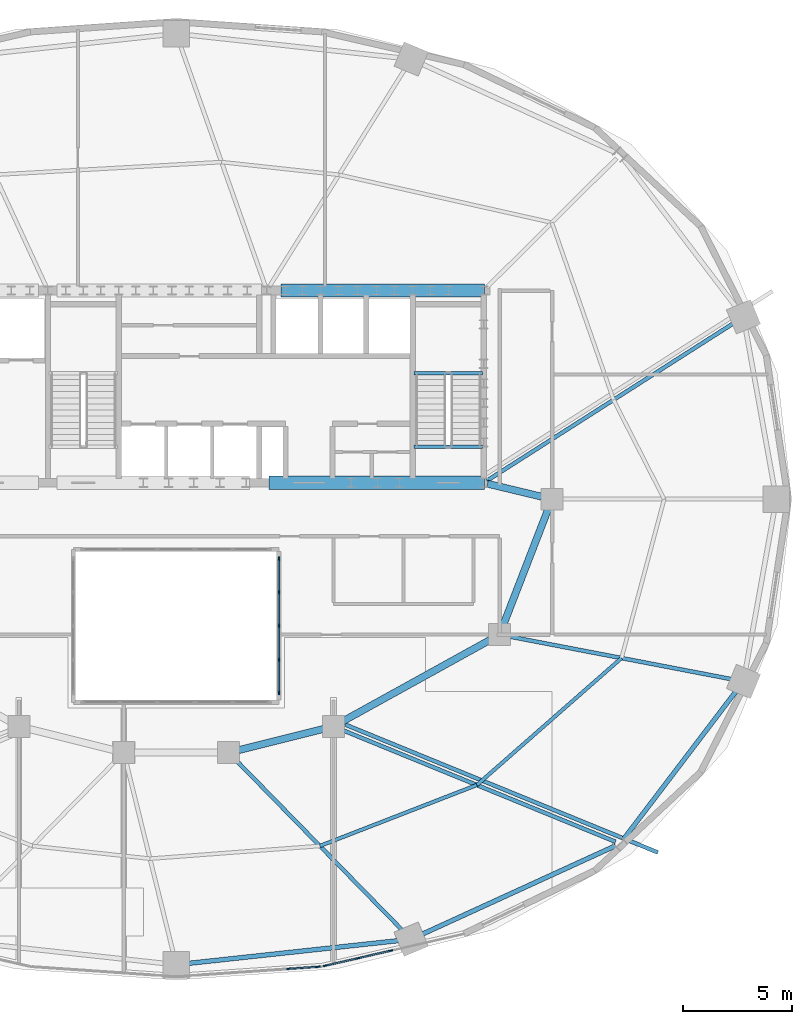
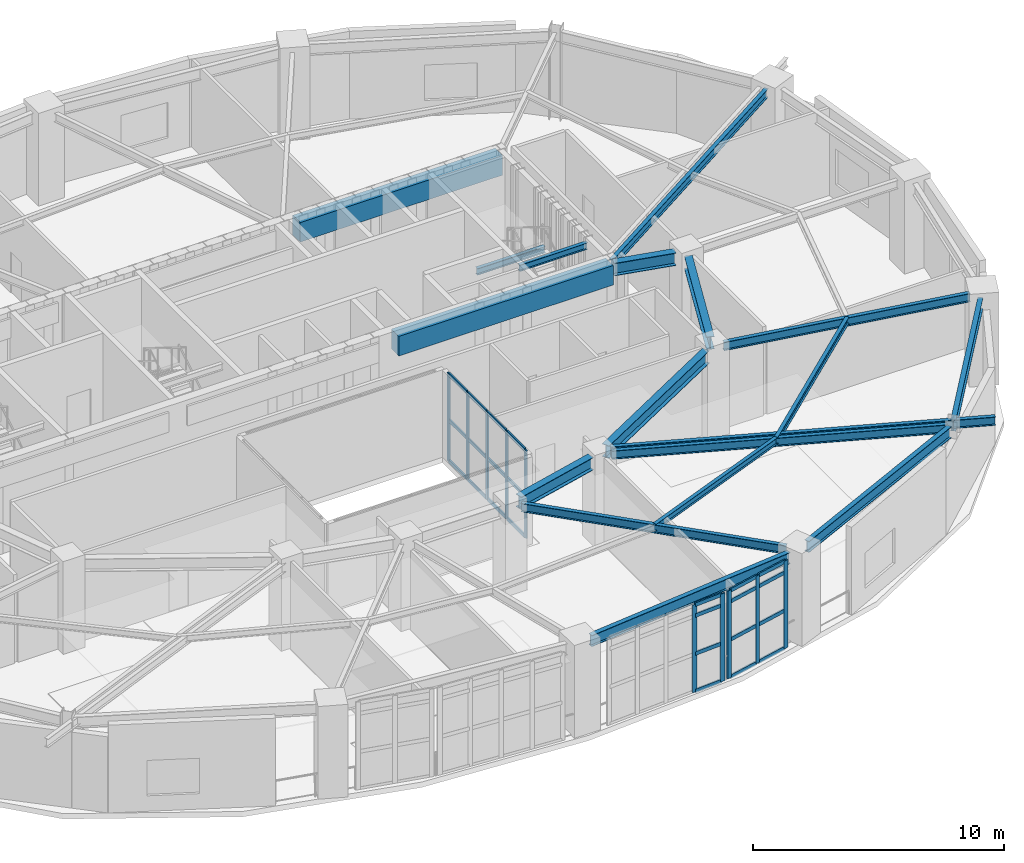
# One storey, part 6 of 13: 34 members, 18 beams, 3 elements without a shape of their own.
"""IFC4 building model written with IfcOpenShell, lengths in metres."""

from ifc_helpers import new_model, si_unit, direction, frame, origin, origin_2d, place, context, subcontext, project, spatial, rectangle, i_section, extrude, material, material_profile, profile_set, type_object, element, aggregate, save


model = new_model("IFC4")

# Units and contexts
model_context = context("Model", 3, precision=1e-05, world=origin(), true_north=direction((0.0, 1.0)))
body_context = subcontext(model_context, "Body", "Model", "MODEL_VIEW")
ifc_project = project(units=[si_unit("LENGTHUNIT", "METRE"), si_unit("AREAUNIT", "SQUARE_METRE"), si_unit("VOLUMEUNIT", "CUBIC_METRE"), si_unit("PLANEANGLEUNIT", "RADIAN"), si_unit("MASSUNIT", "GRAM", prefix="KILO")], contexts=[model_context])

# Site, building, storey
site_placement = place(None, origin())
site = spatial("IfcSite", under=ifc_project, at=site_placement, CompositionType="ELEMENT")
building_placement = place(site_placement, origin())
building = spatial("IfcBuilding", under=site, at=building_placement, Name="Haldorwick Loom Tower", CompositionType="ELEMENT")
storey_placement = place(building_placement, frame((0.0, 0.0, 188.949951171875)))
storey = spatial("IfcBuildingStorey", under=building, at=storey_placement, Name="L51", CompositionType="ELEMENT", Elevation=188.949951171875)

# Curtain wall, members
ifc_material_1 = material(Name="Thermally Broken Anodized Aluminium Curtain Wall Framing", Category="aluminium")
curtain_wall_type_1 = type_object("IfcCurtainWallType", Name="ARC-CW-03", PredefinedType="NOTDEFINED", material=ifc_material_1)
curtain_wall_1_placement = place(storey_placement, origin())
curtain_wall_1 = element("IfcCurtainWall", 1, at=curtain_wall_1_placement, inside=storey, type_object=curtain_wall_type_1, Name="L51 Atrium Glazed Screen E", PredefinedType="NOTDEFINED")
ifc_material_profile_1 = material_profile(ifc_material_1, rectangle(XDim=0.06591796875, YDim=0.18505859375, at=origin_2d()), Name="ALU_MUL_66X185", Category="aluminium")
ifc_profile_set_1 = profile_set([ifc_material_profile_1], Name="Thermally Broken Anodized Aluminium Curtain Wall Framing")
member_type_1 = type_object("IfcMemberType", Name="ARC-CWM-03", PredefinedType="MULLION", material=ifc_profile_set_1)
member_1_placement = place(storey_placement, frame((40.699951171875, 23.26708984375, 0.0), z_axis=(0.0, 0.0, 1.0), x_axis=(1.0, 0.0, 0.0)))
member_1 = element("IfcMember", 2, at=member_1_placement, type_object=member_type_1, Name="CW-03 mullion 1", PredefinedType="MULLION", context=body_context, shape_type="SweptSolid", body=[
    extrude(rectangle(XDim=0.06591796875, YDim=0.18505859375, at=origin_2d()), origin(), (0.0, 0.0, 1.0), 4.260009765625),
])
member_2_placement = place(storey_placement, frame((40.699951171875, 21.75, 0.0), z_axis=(0.0, 0.0, 1.0), x_axis=(1.0, 0.0, 0.0)))
member_2 = element("IfcMember", 3, at=member_2_placement, type_object=member_type_1, Name="CW-03 mullion 2", PredefinedType="MULLION", context=body_context, shape_type="SweptSolid", body=[
    extrude(rectangle(XDim=0.06591796875, YDim=0.18505859375, at=origin_2d()), origin(), (0.0, 0.0, 1.0), 4.260009765625),
])
member_3_placement = place(storey_placement, frame((40.699951171875, 20.199951171875, 0.0), z_axis=(0.0, 0.0, 1.0), x_axis=(1.0, 0.0, 0.0)))
member_3 = element("IfcMember", 4, at=member_3_placement, type_object=member_type_1, Name="CW-03 mullion 3", PredefinedType="MULLION", context=body_context, shape_type="SweptSolid", body=[
    extrude(rectangle(XDim=0.06591796875, YDim=0.18505859375, at=origin_2d()), origin(), (0.0, 0.0, 1.0), 4.260009765625),
])
member_4_placement = place(storey_placement, frame((40.699951171875, 18.64990234375, 0.0), z_axis=(0.0, 0.0, 1.0), x_axis=(1.0, 0.0, 0.0)))
member_4 = element("IfcMember", 5, at=member_4_placement, type_object=member_type_1, Name="CW-03 mullion 4", PredefinedType="MULLION", context=body_context, shape_type="SweptSolid", body=[
    extrude(rectangle(XDim=0.06591796875, YDim=0.18505859375, at=origin_2d()), origin(), (0.0, 0.0, 1.0), 4.260009765625),
])
member_5_placement = place(storey_placement, frame((40.699951171875, 17.133056640625, 0.0), z_axis=(0.0, 0.0, 1.0), x_axis=(1.0, 0.0, 0.0)))
member_5 = element("IfcMember", 6, at=member_5_placement, type_object=member_type_1, Name="CW-03 mullion 5", PredefinedType="MULLION", context=body_context, shape_type="SweptSolid", body=[
    extrude(rectangle(XDim=0.06591796875, YDim=0.18505859375, at=origin_2d()), origin(), (0.0, 0.0, 1.0), 4.260009765625),
])

curtain_wall_type_2 = type_object("IfcCurtainWallType", Name="ARC-CW-05", PredefinedType="NOTDEFINED", material=ifc_material_1)
curtain_wall_2_placement = place(storey_placement, origin())
curtain_wall_2 = element("IfcCurtainWall", 7, at=curtain_wall_2_placement, inside=storey, type_object=curtain_wall_type_2, Name="L51 Facade Curtain Wall CW-05 Bay 19", PredefinedType="NOTDEFINED")
ifc_material_profile_2 = material_profile(ifc_material_1, rectangle(XDim=0.068115234375, YDim=0.201904296875, at=origin_2d()), Name="ALU_MUL_68X202", Category="aluminium")
ifc_profile_set_2 = profile_set([ifc_material_profile_2], Name="Thermally Broken Anodized Aluminium Curtain Wall Framing")
member_type_2 = type_object("IfcMemberType", Name="ARC-CWM-05", PredefinedType="MULLION", material=ifc_profile_set_2)
member_6_placement = place(storey_placement, frame((41.15283203125, 4.509033203125, 0.0), z_axis=(0.0, 0.0, 1.0), x_axis=(-0.068513392431, 0.997650196741, 0.0)))
member_6 = element("IfcMember", 8, at=member_6_placement, type_object=member_type_2, Name="CW-05 mullion 4", PredefinedType="MULLION", context=body_context, shape_type="SweptSolid", body=[
    extrude(rectangle(XDim=0.068115234375, YDim=0.201904296875, at=origin_2d()), origin(), (0.0, 0.0, 1.0), 4.260009765625),
])
member_7_placement = place(storey_placement, frame((42.49169921875, 4.600830078125, 0.0), z_axis=(0.0, 0.0, 1.0), x_axis=(-0.068513392431, 0.997650196741, 0.0)))
member_7 = element("IfcMember", 9, at=member_7_placement, type_object=member_type_2, Name="CW-05 mullion 5", PredefinedType="MULLION", context=body_context, shape_type="SweptSolid", body=[
    extrude(rectangle(XDim=0.068115234375, YDim=0.201904296875, at=origin_2d()), origin(), (0.0, 0.0, 1.0), 4.260009765625),
])

curtain_wall_3_placement = place(storey_placement, origin())
curtain_wall_3 = element("IfcCurtainWall", 10, at=curtain_wall_3_placement, inside=storey, type_object=curtain_wall_type_2, Name="L51 Facade Curtain Wall CW-05 Bay 20", PredefinedType="NOTDEFINED")
member_8_placement = place(storey_placement, frame((42.8349609375, 4.65185546875, 0.0), z_axis=(0.0, 0.0, 1.0), x_axis=(-0.224141611493, 0.974556585323, 0.0)))
member_8 = element("IfcMember", 11, at=member_8_placement, type_object=member_type_2, Name="CW-05 mullion 1", PredefinedType="MULLION", context=body_context, shape_type="SweptSolid", body=[
    extrude(rectangle(XDim=0.068115234375, YDim=0.201904296875, at=origin_2d()), origin(), (0.0, 0.0, 1.0), 4.260009765625),
])
member_9_placement = place(storey_placement, frame((44.32373046875, 4.994140625, 0.0), z_axis=(0.0, 0.0, 1.0), x_axis=(-0.224141611493, 0.974556585323, 0.0)))
member_9 = element("IfcMember", 12, at=member_9_placement, type_object=member_type_2, Name="CW-05 mullion 2", PredefinedType="MULLION", context=body_context, shape_type="SweptSolid", body=[
    extrude(rectangle(XDim=0.068115234375, YDim=0.201904296875, at=origin_2d()), origin(), (0.0, 0.0, 1.0), 4.260009765625),
])
member_10_placement = place(storey_placement, frame((45.812744140625, 5.336669921875, 0.0), z_axis=(0.0, 0.0, 1.0), x_axis=(-0.224141611493, 0.974556585323, 0.0)))
member_10 = element("IfcMember", 13, at=member_10_placement, type_object=member_type_2, Name="CW-05 mullion 3", PredefinedType="MULLION", context=body_context, shape_type="SweptSolid", body=[
    extrude(rectangle(XDim=0.068115234375, YDim=0.201904296875, at=origin_2d()), origin(), (0.0, 0.0, 1.0), 4.260009765625),
])

# Member
ifc_material_profile_3 = material_profile(ifc_material_1, rectangle(XDim=0.06591796875, YDim=0.1650390625, at=origin_2d()), Name="ALU_TRN_66X165", Category="aluminium")
ifc_profile_set_3 = profile_set([ifc_material_profile_3], Name="Thermally Broken Anodized Aluminium Curtain Wall Framing")
member_type_3 = type_object("IfcMemberType", Name="ARC-CWT-03", PredefinedType="USERDEFINED", material=ifc_profile_set_3)
member_11_placement = place(storey_placement, frame((40.699951171875, 23.23388671875, 0.032958984375), z_axis=(0.0, -1.0, 0.0), x_axis=(1.0, 0.0, 0.0)))
member_11 = element("IfcMember", 14, at=member_11_placement, type_object=member_type_3, Name="CW-03 transom 1.1", ObjectType="TRANSOM", PredefinedType="USERDEFINED", context=body_context, shape_type="SweptSolid", body=[
    extrude(rectangle(XDim=0.06591796875, YDim=0.1650390625, at=origin_2d()), origin(), (0.0, 0.0, 1.0), 1.450927734375),
])

member_12_placement = place(storey_placement, frame((40.699951171875, 23.23388671875, 2.0), z_axis=(0.0, -1.0, 0.0), x_axis=(1.0, 0.0, 0.0)))
member_12 = element("IfcMember", 15, at=member_12_placement, type_object=member_type_3, Name="CW-03 transom 1.2", ObjectType="TRANSOM", PredefinedType="USERDEFINED", context=body_context, shape_type="SweptSolid", body=[
    extrude(rectangle(XDim=0.06591796875, YDim=0.1650390625, at=origin_2d()), origin(), (0.0, 0.0, 1.0), 1.450927734375),
])

member_13_placement = place(storey_placement, frame((40.699951171875, 23.23388671875, 4.22705078125), z_axis=(0.0, -1.0, 0.0), x_axis=(1.0, 0.0, 0.0)))
member_13 = element("IfcMember", 16, at=member_13_placement, type_object=member_type_3, Name="CW-03 transom 1.3", ObjectType="TRANSOM", PredefinedType="USERDEFINED", context=body_context, shape_type="SweptSolid", body=[
    extrude(rectangle(XDim=0.06591796875, YDim=0.1650390625, at=origin_2d()), origin(), (0.0, 0.0, 1.0), 1.450927734375),
])

member_14_placement = place(storey_placement, frame((40.699951171875, 21.717041015625, 0.032958984375), z_axis=(0.0, -1.0, 0.0), x_axis=(1.0, 0.0, 0.0)))
member_14 = element("IfcMember", 17, at=member_14_placement, type_object=member_type_3, Name="CW-03 transom 2.1", ObjectType="TRANSOM", PredefinedType="USERDEFINED", context=body_context, shape_type="SweptSolid", body=[
    extrude(rectangle(XDim=0.06591796875, YDim=0.1650390625, at=origin_2d()), origin(), (0.0, 0.0, 1.0), 1.484130859375),
])

member_15_placement = place(storey_placement, frame((40.699951171875, 21.717041015625, 2.0), z_axis=(0.0, -1.0, 0.0), x_axis=(1.0, 0.0, 0.0)))
member_15 = element("IfcMember", 18, at=member_15_placement, type_object=member_type_3, Name="CW-03 transom 2.2", ObjectType="TRANSOM", PredefinedType="USERDEFINED", context=body_context, shape_type="SweptSolid", body=[
    extrude(rectangle(XDim=0.06591796875, YDim=0.1650390625, at=origin_2d()), origin(), (0.0, 0.0, 1.0), 1.484130859375),
])

member_16_placement = place(storey_placement, frame((40.699951171875, 21.717041015625, 4.22705078125), z_axis=(0.0, -1.0, 0.0), x_axis=(1.0, 0.0, 0.0)))
member_16 = element("IfcMember", 19, at=member_16_placement, type_object=member_type_3, Name="CW-03 transom 2.3", ObjectType="TRANSOM", PredefinedType="USERDEFINED", context=body_context, shape_type="SweptSolid", body=[
    extrude(rectangle(XDim=0.06591796875, YDim=0.1650390625, at=origin_2d()), origin(), (0.0, 0.0, 1.0), 1.484130859375),
])

member_17_placement = place(storey_placement, frame((40.699951171875, 20.1669921875, 0.032958984375), z_axis=(0.0, -1.0, 0.0), x_axis=(1.0, 0.0, 0.0)))
member_17 = element("IfcMember", 20, at=member_17_placement, type_object=member_type_3, Name="CW-03 transom 3.1", ObjectType="TRANSOM", PredefinedType="USERDEFINED", context=body_context, shape_type="SweptSolid", body=[
    extrude(rectangle(XDim=0.06591796875, YDim=0.1650390625, at=origin_2d()), origin(), (0.0, 0.0, 1.0), 1.48388671875),
])

member_18_placement = place(storey_placement, frame((40.699951171875, 20.1669921875, 2.0), z_axis=(0.0, -1.0, 0.0), x_axis=(1.0, 0.0, 0.0)))
member_18 = element("IfcMember", 21, at=member_18_placement, type_object=member_type_3, Name="CW-03 transom 3.2", ObjectType="TRANSOM", PredefinedType="USERDEFINED", context=body_context, shape_type="SweptSolid", body=[
    extrude(rectangle(XDim=0.06591796875, YDim=0.1650390625, at=origin_2d()), origin(), (0.0, 0.0, 1.0), 1.48388671875),
])

member_19_placement = place(storey_placement, frame((40.699951171875, 20.1669921875, 4.22705078125), z_axis=(0.0, -1.0, 0.0), x_axis=(1.0, 0.0, 0.0)))
member_19 = element("IfcMember", 22, at=member_19_placement, type_object=member_type_3, Name="CW-03 transom 3.3", ObjectType="TRANSOM", PredefinedType="USERDEFINED", context=body_context, shape_type="SweptSolid", body=[
    extrude(rectangle(XDim=0.06591796875, YDim=0.1650390625, at=origin_2d()), origin(), (0.0, 0.0, 1.0), 1.48388671875),
])

member_20_placement = place(storey_placement, frame((40.699951171875, 18.616943359375, 0.032958984375), z_axis=(0.0, -1.0, 0.0), x_axis=(1.0, 0.0, 0.0)))
member_20 = element("IfcMember", 23, at=member_20_placement, type_object=member_type_3, Name="CW-03 transom 4.1", ObjectType="TRANSOM", PredefinedType="USERDEFINED", context=body_context, shape_type="SweptSolid", body=[
    extrude(rectangle(XDim=0.06591796875, YDim=0.1650390625, at=origin_2d()), origin(), (0.0, 0.0, 1.0), 1.450927734375),
])

member_21_placement = place(storey_placement, frame((40.699951171875, 18.616943359375, 2.0), z_axis=(0.0, -1.0, 0.0), x_axis=(1.0, 0.0, 0.0)))
member_21 = element("IfcMember", 24, at=member_21_placement, type_object=member_type_3, Name="CW-03 transom 4.2", ObjectType="TRANSOM", PredefinedType="USERDEFINED", context=body_context, shape_type="SweptSolid", body=[
    extrude(rectangle(XDim=0.06591796875, YDim=0.1650390625, at=origin_2d()), origin(), (0.0, 0.0, 1.0), 1.450927734375),
])

member_22_placement = place(storey_placement, frame((40.699951171875, 18.616943359375, 4.22705078125), z_axis=(0.0, -1.0, 0.0), x_axis=(1.0, 0.0, 0.0)))
member_22 = element("IfcMember", 25, at=member_22_placement, type_object=member_type_3, Name="CW-03 transom 4.3", ObjectType="TRANSOM", PredefinedType="USERDEFINED", context=body_context, shape_type="SweptSolid", body=[
    extrude(rectangle(XDim=0.06591796875, YDim=0.1650390625, at=origin_2d()), origin(), (0.0, 0.0, 1.0), 1.450927734375),
])

aggregate(curtain_wall_1, [member_1, member_2, member_3, member_4, member_5, member_11, member_12, member_13, member_14, member_15, member_16, member_17, member_18, member_19, member_20, member_21, member_22])

ifc_material_profile_4 = material_profile(ifc_material_1, rectangle(XDim=0.068115234375, YDim=0.181884765625, at=origin_2d()), Name="ALU_TRN_68X182", Category="aluminium")
ifc_profile_set_4 = profile_set([ifc_material_profile_4], Name="Thermally Broken Anodized Aluminium Curtain Wall Framing")
member_type_4 = type_object("IfcMemberType", Name="ARC-CWT-05", PredefinedType="USERDEFINED", material=ifc_profile_set_4)
member_23_placement = place(storey_placement, frame((41.186767578125, 4.51123046875, 0.033935546875), z_axis=(0.997643916024, 0.068604787156, 0.0), x_axis=(-0.068604787156, 0.997643916024, 0.0)))
member_23 = element("IfcMember", 26, at=member_23_placement, type_object=member_type_4, Name="CW-05 transom 4.1", ObjectType="TRANSOM", PredefinedType="USERDEFINED", context=body_context, shape_type="SweptSolid", body=[
    extrude(rectangle(XDim=0.068115234375, YDim=0.181884765625, at=origin_2d()), origin(), (0.0, 0.0, 1.0), 1.27392578125),
])

member_24_placement = place(storey_placement, frame((41.186767578125, 4.51123046875, 1.85009765625), z_axis=(0.997643916024, 0.068604787156, 0.0), x_axis=(-0.068604787156, 0.997643916024, 0.0)))
member_24 = element("IfcMember", 27, at=member_24_placement, type_object=member_type_4, Name="CW-05 transom 4.2", ObjectType="TRANSOM", PredefinedType="USERDEFINED", context=body_context, shape_type="SweptSolid", body=[
    extrude(rectangle(XDim=0.068115234375, YDim=0.181884765625, at=origin_2d()), origin(), (0.0, 0.0, 1.0), 1.27392578125),
])

member_25_placement = place(storey_placement, frame((41.186767578125, 4.51123046875, 3.699951171875), z_axis=(0.997643916024, 0.068604787156, 0.0), x_axis=(-0.068604787156, 0.997643916024, 0.0)))
member_25 = element("IfcMember", 28, at=member_25_placement, type_object=member_type_4, Name="CW-05 transom 4.3", ObjectType="TRANSOM", PredefinedType="USERDEFINED", context=body_context, shape_type="SweptSolid", body=[
    extrude(rectangle(XDim=0.068115234375, YDim=0.181884765625, at=origin_2d()), origin(), (0.0, 0.0, 1.0), 1.27392578125),
])

member_26_placement = place(storey_placement, frame((41.186767578125, 4.51123046875, 4.22607421875), z_axis=(0.997643916024, 0.068604787156, 0.0), x_axis=(-0.068604787156, 0.997643916024, 0.0)))
member_26 = element("IfcMember", 29, at=member_26_placement, type_object=member_type_4, Name="CW-05 transom 4.4", ObjectType="TRANSOM", PredefinedType="USERDEFINED", context=body_context, shape_type="SweptSolid", body=[
    extrude(rectangle(XDim=0.068115234375, YDim=0.181884765625, at=origin_2d()), origin(), (0.0, 0.0, 1.0), 1.27392578125),
])

aggregate(curtain_wall_2, [member_6, member_7, member_23, member_24, member_25, member_26])

member_27_placement = place(storey_placement, frame((42.8681640625, 4.659423828125, 0.033935546875), z_axis=(0.974562858331, 0.22411433502, 0.0), x_axis=(-0.22411433502, 0.974562858331, 0.0)))
member_27 = element("IfcMember", 30, at=member_27_placement, type_object=member_type_4, Name="CW-05 transom 1.1", ObjectType="TRANSOM", PredefinedType="USERDEFINED", context=body_context, shape_type="SweptSolid", body=[
    extrude(rectangle(XDim=0.068115234375, YDim=0.181884765625, at=origin_2d()), origin(), (0.0, 0.0, 1.0), 1.459716796875),
])

member_28_placement = place(storey_placement, frame((42.8681640625, 4.659423828125, 1.85009765625), z_axis=(0.974562858331, 0.22411433502, 0.0), x_axis=(-0.22411433502, 0.974562858331, 0.0)))
member_28 = element("IfcMember", 31, at=member_28_placement, type_object=member_type_4, Name="CW-05 transom 1.2", ObjectType="TRANSOM", PredefinedType="USERDEFINED", context=body_context, shape_type="SweptSolid", body=[
    extrude(rectangle(XDim=0.068115234375, YDim=0.181884765625, at=origin_2d()), origin(), (0.0, 0.0, 1.0), 1.459716796875),
])

member_29_placement = place(storey_placement, frame((42.8681640625, 4.659423828125, 3.699951171875), z_axis=(0.974562858331, 0.22411433502, 0.0), x_axis=(-0.22411433502, 0.974562858331, 0.0)))
member_29 = element("IfcMember", 32, at=member_29_placement, type_object=member_type_4, Name="CW-05 transom 1.3", ObjectType="TRANSOM", PredefinedType="USERDEFINED", context=body_context, shape_type="SweptSolid", body=[
    extrude(rectangle(XDim=0.068115234375, YDim=0.181884765625, at=origin_2d()), origin(), (0.0, 0.0, 1.0), 1.459716796875),
])

member_30_placement = place(storey_placement, frame((42.8681640625, 4.659423828125, 4.22607421875), z_axis=(0.974562858331, 0.22411433502, 0.0), x_axis=(-0.22411433502, 0.974562858331, 0.0)))
member_30 = element("IfcMember", 33, at=member_30_placement, type_object=member_type_4, Name="CW-05 transom 1.4", ObjectType="TRANSOM", PredefinedType="USERDEFINED", context=body_context, shape_type="SweptSolid", body=[
    extrude(rectangle(XDim=0.068115234375, YDim=0.181884765625, at=origin_2d()), origin(), (0.0, 0.0, 1.0), 1.459716796875),
])

member_31_placement = place(storey_placement, frame((44.35693359375, 5.001953125, 0.033935546875), z_axis=(0.974562858331, 0.22411433502, 0.0), x_axis=(-0.22411433502, 0.974562858331, 0.0)))
member_31 = element("IfcMember", 34, at=member_31_placement, type_object=member_type_4, Name="CW-05 transom 2.1", ObjectType="TRANSOM", PredefinedType="USERDEFINED", context=body_context, shape_type="SweptSolid", body=[
    extrude(rectangle(XDim=0.068115234375, YDim=0.181884765625, at=origin_2d()), origin(), (0.0, 0.0, 1.0), 1.459716796875),
])

member_32_placement = place(storey_placement, frame((44.35693359375, 5.001953125, 1.85009765625), z_axis=(0.974562858331, 0.22411433502, 0.0), x_axis=(-0.22411433502, 0.974562858331, 0.0)))
member_32 = element("IfcMember", 35, at=member_32_placement, type_object=member_type_4, Name="CW-05 transom 2.2", ObjectType="TRANSOM", PredefinedType="USERDEFINED", context=body_context, shape_type="SweptSolid", body=[
    extrude(rectangle(XDim=0.068115234375, YDim=0.181884765625, at=origin_2d()), origin(), (0.0, 0.0, 1.0), 1.459716796875),
])

member_33_placement = place(storey_placement, frame((44.35693359375, 5.001953125, 3.699951171875), z_axis=(0.974562858331, 0.22411433502, 0.0), x_axis=(-0.22411433502, 0.974562858331, 0.0)))
member_33 = element("IfcMember", 36, at=member_33_placement, type_object=member_type_4, Name="CW-05 transom 2.3", ObjectType="TRANSOM", PredefinedType="USERDEFINED", context=body_context, shape_type="SweptSolid", body=[
    extrude(rectangle(XDim=0.068115234375, YDim=0.181884765625, at=origin_2d()), origin(), (0.0, 0.0, 1.0), 1.459716796875),
])

member_34_placement = place(storey_placement, frame((44.35693359375, 5.001953125, 4.22607421875), z_axis=(0.974562858331, 0.22411433502, 0.0), x_axis=(-0.22411433502, 0.974562858331, 0.0)))
member_34 = element("IfcMember", 37, at=member_34_placement, type_object=member_type_4, Name="CW-05 transom 2.4", ObjectType="TRANSOM", PredefinedType="USERDEFINED", context=body_context, shape_type="SweptSolid", body=[
    extrude(rectangle(XDim=0.068115234375, YDim=0.181884765625, at=origin_2d()), origin(), (0.0, 0.0, 1.0), 1.459716796875),
])

aggregate(curtain_wall_3, [member_8, member_9, member_10, member_27, member_28, member_29, member_30, member_31, member_32, member_33, member_34])

# Beams
ifc_material_2 = material(Name="Steel CSA G40.21 350W", Category="steel")
ifc_material_profile_5 = material_profile(ifc_material_2, i_section(OverallWidth=0.179931640625, OverallDepth=0.4130859375, WebThickness=0.009765625, FlangeThickness=0.01611328125, at=origin_2d()), Name="W410X74", Category="steel")
ifc_profile_set_5 = profile_set([ifc_material_profile_5], Name="Steel CSA G40.21 350W")
beam_type_1 = type_object("IfcBeamType", Name="STR-BM-BAL410", PredefinedType="BEAM", material=ifc_profile_set_5)
beam_1_placement = place(storey_placement, frame((43.74560546875, 15.679443359375, 4.053466796875), z_axis=(0.925580184245, -0.378551611451, 0.0), x_axis=(0.378551611451, 0.925580184245, 0.0)))
element("IfcBeam", 38, at=beam_1_placement, inside=storey, type_object=beam_type_1, Name="L51 Continuous Back-Spanned Balcony Beam 1", PredefinedType="BEAM", context=body_context, shape_type="SweptSolid", body=[
    extrude(i_section(OverallWidth=0.179931640625, OverallDepth=0.4130859375, WebThickness=0.009765625, FlangeThickness=0.01611328125, at=origin_2d()), origin(), (0.0, 0.0, 1.0), 15.447509765625),
])
ifc_material_3 = material(Name="Concrete C50 (50 MPa)", Category="concrete")
ifc_material_profile_6 = material_profile(ifc_material_3, rectangle(XDim=0.60009765625, YDim=0.949951171875, at=origin_2d()), Name="RC600X950", Category="concrete")
ifc_profile_set_6 = profile_set([ifc_material_profile_6], Name="Concrete C50 (50 MPa)")
beam_type_2 = type_object("IfcBeamType", Name="STR-BM-CB950", PredefinedType="LINTEL", material=ifc_profile_set_6)
beam_2_placement = place(storey_placement, frame((40.800048828125, 35.550048828125, 3.78515625), z_axis=(1.0, 0.0, 0.0), x_axis=(0.0, 1.0, 0.0)))
element("IfcBeam", 39, at=beam_2_placement, inside=storey, type_object=beam_type_2, Name="L51 Core Coupling Beam CB-N3", PredefinedType="LINTEL", context=body_context, shape_type="SweptSolid", body=[
    extrude(rectangle(XDim=0.60009765625, YDim=0.949951171875, at=origin_2d()), origin(), (0.0, 0.0, 1.0), 9.300048828125),
])
beam_3_placement = place(storey_placement, frame((40.25, 26.75, 3.78515625), z_axis=(1.0, 0.0, 0.0), x_axis=(0.0, 1.0, 0.0)))
element("IfcBeam", 40, at=beam_3_placement, inside=storey, type_object=beam_type_2, Name="L51 Core Coupling Beam CB-S3", PredefinedType="LINTEL", context=body_context, shape_type="SweptSolid", body=[
    extrude(rectangle(XDim=0.60009765625, YDim=0.949951171875, at=origin_2d()), origin(), (0.0, 0.0, 1.0), 9.85009765625),
])
ifc_material_profile_7 = material_profile(ifc_material_2, i_section(OverallWidth=0.166015625, OverallDepth=0.31298828125, WebThickness=0.006591796875, FlangeThickness=0.01123046875, at=origin_2d()), Name="W310X45", Category="steel")
ifc_profile_set_7 = profile_set([ifc_material_profile_7], Name="Steel CSA G40.21 350W")
beam_type_3 = type_object("IfcBeamType", Name="STR-BM-J310", PredefinedType="JOIST", material=ifc_profile_set_7)
beam_4_placement = place(storey_placement, frame((42.57666015625, 10.129638671875, 4.103515625), z_axis=(0.932232852675, 0.36185896202, 0.0), x_axis=(-0.36185896202, 0.932232852675, 0.0)))
element("IfcBeam", 41, at=beam_4_placement, inside=storey, type_object=beam_type_3, Name="L51 Mid-Bay Secondary Joist 14", PredefinedType="JOIST", context=body_context, shape_type="SweptSolid", body=[
    extrude(i_section(OverallWidth=0.166015625, OverallDepth=0.31298828125, WebThickness=0.006591796875, FlangeThickness=0.01123046875, at=origin_2d()), origin(), (0.0, 0.0, 1.0), 7.7041015625),
])
beam_5_placement = place(storey_placement, frame((49.7587890625, 12.91748046875, 4.103515625), z_axis=(0.751609427289, 0.659608420815, 0.0), x_axis=(-0.659608420815, 0.751609427289, 0.0)))
element("IfcBeam", 42, at=beam_5_placement, inside=storey, type_object=beam_type_3, Name="L51 Mid-Bay Secondary Joist 15", PredefinedType="JOIST", context=body_context, shape_type="SweptSolid", body=[
    extrude(i_section(OverallWidth=0.166015625, OverallDepth=0.31298828125, WebThickness=0.006591796875, FlangeThickness=0.01123046875, at=origin_2d()), origin(), (0.0, 0.0, 1.0), 8.810302734375),
])
ifc_material_profile_8 = material_profile(ifc_material_2, i_section(OverallWidth=0.179931640625, OverallDepth=0.4130859375, WebThickness=0.009765625, FlangeThickness=0.01611328125, at=origin_2d()), Name="W410X74", Category="steel")
ifc_profile_set_8 = profile_set([ifc_material_profile_8], Name="Steel CSA G40.21 350W")
beam_type_4 = type_object("IfcBeamType", Name="STR-BM-J410", PredefinedType="JOIST", material=ifc_profile_set_8)
beam_6_placement = place(storey_placement, frame((50.219970703125, 26.845703125, 4.053466796875), z_axis=(0.842836647066, 0.538169477361, 0.0), x_axis=(-0.538169477361, 0.842836647066, 0.0)))
element("IfcBeam", 43, at=beam_6_placement, inside=storey, type_object=beam_type_4, Name="L51 Radial Floor Girder 2", PredefinedType="JOIST", context=body_context, shape_type="SweptSolid", body=[
    extrude(i_section(OverallWidth=0.179931640625, OverallDepth=0.4130859375, WebThickness=0.009765625, FlangeThickness=0.01611328125, at=origin_2d()), origin(), (0.0, 0.0, 1.0), 13.410400390625),
])
beam_7_placement = place(storey_placement, frame((38.732177734375, 14.060302734375, 4.053466796875), z_axis=(0.699238682239, -0.714888288658, 0.0), x_axis=(0.714888288658, 0.699238682239, 0.0)))
element("IfcBeam", 44, at=beam_7_placement, inside=storey, type_object=beam_type_4, Name="L51 Radial Floor Girder 14", PredefinedType="JOIST", context=body_context, shape_type="SweptSolid", body=[
    extrude(i_section(OverallWidth=0.179931640625, OverallDepth=0.4130859375, WebThickness=0.009765625, FlangeThickness=0.01611328125, at=origin_2d()), origin(), (0.0, 0.0, 1.0), 10.951416015625),
])
beam_8_placement = place(storey_placement, frame((43.6396484375, 15.420166015625, 4.053466796875), z_axis=(0.925583323606, -0.378543935445, 0.0), x_axis=(0.378543935445, 0.925583323606, 0.0)))
element("IfcBeam", 45, at=beam_8_placement, inside=storey, type_object=beam_type_4, Name="L51 Radial Floor Girder 15", PredefinedType="JOIST", context=body_context, shape_type="SweptSolid", body=[
    extrude(i_section(OverallWidth=0.179931640625, OverallDepth=0.4130859375, WebThickness=0.009765625, FlangeThickness=0.01611328125, at=origin_2d()), origin(), (0.0, 0.0, 1.0), 13.47216796875),
])
beam_9_placement = place(storey_placement, frame((51.2666015625, 19.71044921875, 4.053466796875), z_axis=(0.982069869785, -0.188517295919, 0.0), x_axis=(0.188517295919, 0.982069869785, 0.0)))
element("IfcBeam", 46, at=beam_9_placement, inside=storey, type_object=beam_type_4, Name="L51 Radial Floor Girder 16", PredefinedType="JOIST", context=body_context, shape_type="SweptSolid", body=[
    extrude(i_section(OverallWidth=0.179931640625, OverallDepth=0.4130859375, WebThickness=0.009765625, FlangeThickness=0.01611328125, at=origin_2d()), origin(), (0.0, 0.0, 1.0), 10.36962890625),
])
ifc_material_profile_9 = material_profile(ifc_material_2, i_section(OverallWidth=0.2119140625, OverallDepth=0.5439453125, WebThickness=0.01318359375, FlangeThickness=0.021240234375, at=origin_2d()), Name="W530X123", Category="steel")
ifc_profile_set_9 = profile_set([ifc_material_profile_9], Name="Steel CSA G40.21 350W")
beam_type_5 = type_object("IfcBeamType", Name="STR-BM-SP530", PredefinedType="SPANDREL", material=ifc_profile_set_9)
beam_10_placement = place(storey_placement, frame((36.51708984375, 4.7509765625, 3.988037109375), z_axis=(0.994187774205, 0.107659972233, 0.0), x_axis=(-0.107659972233, 0.994187774205, 0.0)))
element("IfcBeam", 47, at=beam_10_placement, inside=storey, type_object=beam_type_5, Name="L51 Perimeter Spandrel 13", PredefinedType="SPANDREL", context=body_context, shape_type="SweptSolid", body=[
    extrude(i_section(OverallWidth=0.2119140625, OverallDepth=0.5439453125, WebThickness=0.01318359375, FlangeThickness=0.021240234375, at=origin_2d()), origin(), (0.0, 0.0, 1.0), 9.776123046875),
])
beam_11_placement = place(storey_placement, frame((47.226318359375, 6.07568359375, 3.988037109375), z_axis=(0.909342182232, 0.416049030299, 0.0), x_axis=(-0.416049030299, 0.909342182232, 0.0)))
element("IfcBeam", 48, at=beam_11_placement, inside=storey, type_object=beam_type_5, Name="L51 Perimeter Spandrel 14", PredefinedType="SPANDREL", context=body_context, shape_type="SweptSolid", body=[
    extrude(i_section(OverallWidth=0.2119140625, OverallDepth=0.5439453125, WebThickness=0.01318359375, FlangeThickness=0.021240234375, at=origin_2d()), origin(), (0.0, 0.0, 1.0), 9.772705078125),
])
beam_12_placement = place(storey_placement, frame((56.453857421875, 10.414306640625, 3.988037109375), z_axis=(0.605236944797, 0.796045376001, 0.0), x_axis=(-0.796045376001, 0.605236944797, 0.0)))
element("IfcBeam", 49, at=beam_12_placement, inside=storey, type_object=beam_type_5, Name="L51 Perimeter Spandrel 15", PredefinedType="SPANDREL", context=body_context, shape_type="SweptSolid", body=[
    extrude(i_section(OverallWidth=0.2119140625, OverallDepth=0.5439453125, WebThickness=0.01318359375, FlangeThickness=0.021240234375, at=origin_2d()), origin(), (0.0, 0.0, 1.0), 8.5791015625),
])
ifc_material_profile_10 = material_profile(ifc_material_2, i_section(OverallWidth=0.166015625, OverallDepth=0.31298828125, WebThickness=0.006591796875, FlangeThickness=0.01123046875, at=origin_2d()), Name="W310X45", Category="steel")
ifc_profile_set_10 = profile_set([ifc_material_profile_10], Name="Steel CSA G40.21 350W")
beam_type_6 = type_object("IfcBeamType", Name="STR-BM-STRM", PredefinedType="BEAM", material=ifc_profile_set_10)
for number, where, z_axis, x_axis, name in (
    (50, (46.889892578125, 28.39990234375, 4.103515625), (1.0, 0.0, 0.0), (0.0, 1.0, 0.0), "L51 Stair ST-02 Landing Edge Trimmer"),
    (51, (46.889892578125, 31.760009765625, 1.8935546875), (1.0, 0.0, 0.0), (0.0, 1.0, 0.0), "L51 Stair ST-02 Half-Landing Trimmer 1"),
):
    element("IfcBeam", number, at=place(storey_placement, frame(where, z_axis=z_axis, x_axis=x_axis)), inside=storey, type_object=beam_type_6, Name=name, PredefinedType="BEAM", context=body_context, shape_type="SweptSolid", body=[
        extrude(i_section(OverallWidth=0.166015625, OverallDepth=0.31298828125, WebThickness=0.006591796875, FlangeThickness=0.01123046875, at=origin_2d()), origin(), (0.0, 0.0, 1.0), 3.1201171875),
    ])
ifc_material_profile_11 = material_profile(ifc_material_2, i_section(OverallWidth=0.324951171875, OverallDepth=0.615966796875, WebThickness=0.013916015625, FlangeThickness=0.021484375, at=origin_2d()), Name="W610X174", Category="steel")
ifc_profile_set_11 = profile_set([ifc_material_profile_11], Name="Steel CSA G40.21 350W")
beam_type_7 = type_object("IfcBeamType", Name="STR-BM-W610A", PredefinedType="BEAM", material=ifc_profile_set_11)
beam_13_placement = place(storey_placement, frame((50.2431640625, 26.70849609375, 3.9521484375), z_axis=(0.972464127734, -0.233052612665, 0.0), x_axis=(0.233052612665, 0.972464127734, 0.0)))
element("IfcBeam", 52, at=beam_13_placement, inside=storey, type_object=beam_type_7, Name="L51 Inner Ring Girder 1", PredefinedType="BEAM", context=body_context, shape_type="SweptSolid", body=[
    extrude(i_section(OverallWidth=0.324951171875, OverallDepth=0.615966796875, WebThickness=0.013916015625, FlangeThickness=0.021484375, at=origin_2d()), origin(), (0.0, 0.0, 1.0), 2.5654296875),
])
beam_14_placement = place(storey_placement, frame((53.028564453125, 25.556884765625, 3.9521484375), z_axis=(-0.36101093026, -0.93256158415, 0.0), x_axis=(0.93256158415, -0.36101093026, 0.0)))
element("IfcBeam", 53, at=beam_14_placement, inside=storey, type_object=beam_type_7, Name="L51 Inner Ring Girder 2", PredefinedType="BEAM", context=body_context, shape_type="SweptSolid", body=[
    extrude(i_section(OverallWidth=0.324951171875, OverallDepth=0.615966796875, WebThickness=0.013916015625, FlangeThickness=0.021484375, at=origin_2d()), origin(), (0.0, 0.0, 1.0), 5.6982421875),
])
beam_15_placement = place(storey_placement, frame((50.38427734375, 19.5703125, 3.9521484375), z_axis=(-0.875243645673, -0.483682293152, 0.0), x_axis=(0.483682293152, -0.875243645673, 0.0)))
element("IfcBeam", 54, at=beam_15_placement, inside=storey, type_object=beam_type_7, Name="L51 Inner Ring Girder 3", PredefinedType="BEAM", context=body_context, shape_type="SweptSolid", body=[
    extrude(i_section(OverallWidth=0.324951171875, OverallDepth=0.615966796875, WebThickness=0.013916015625, FlangeThickness=0.021484375, at=origin_2d()), origin(), (0.0, 0.0, 1.0), 7.7333984375),
])
beam_16_placement = place(storey_placement, frame((42.7392578125, 15.48486328125, 3.9521484375), z_axis=(-0.970135315182, -0.242564363081, 0.0), x_axis=(0.242564363081, -0.970135315182, 0.0)))
element("IfcBeam", 55, at=beam_16_placement, inside=storey, type_object=beam_type_7, Name="L51 Inner Ring Girder 4", PredefinedType="BEAM", context=body_context, shape_type="SweptSolid", body=[
    extrude(i_section(OverallWidth=0.324951171875, OverallDepth=0.615966796875, WebThickness=0.013916015625, FlangeThickness=0.021484375, at=origin_2d()), origin(), (0.0, 0.0, 1.0), 3.997802734375),
])

save(model, "model.ifc")
